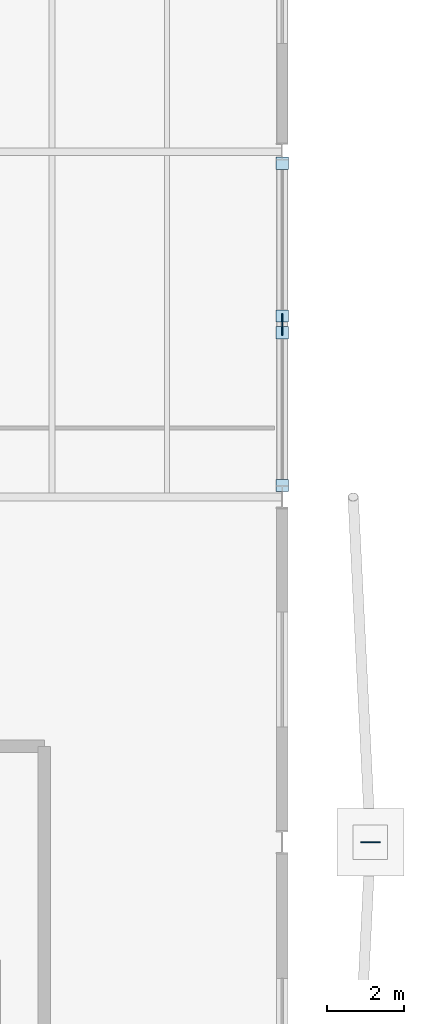
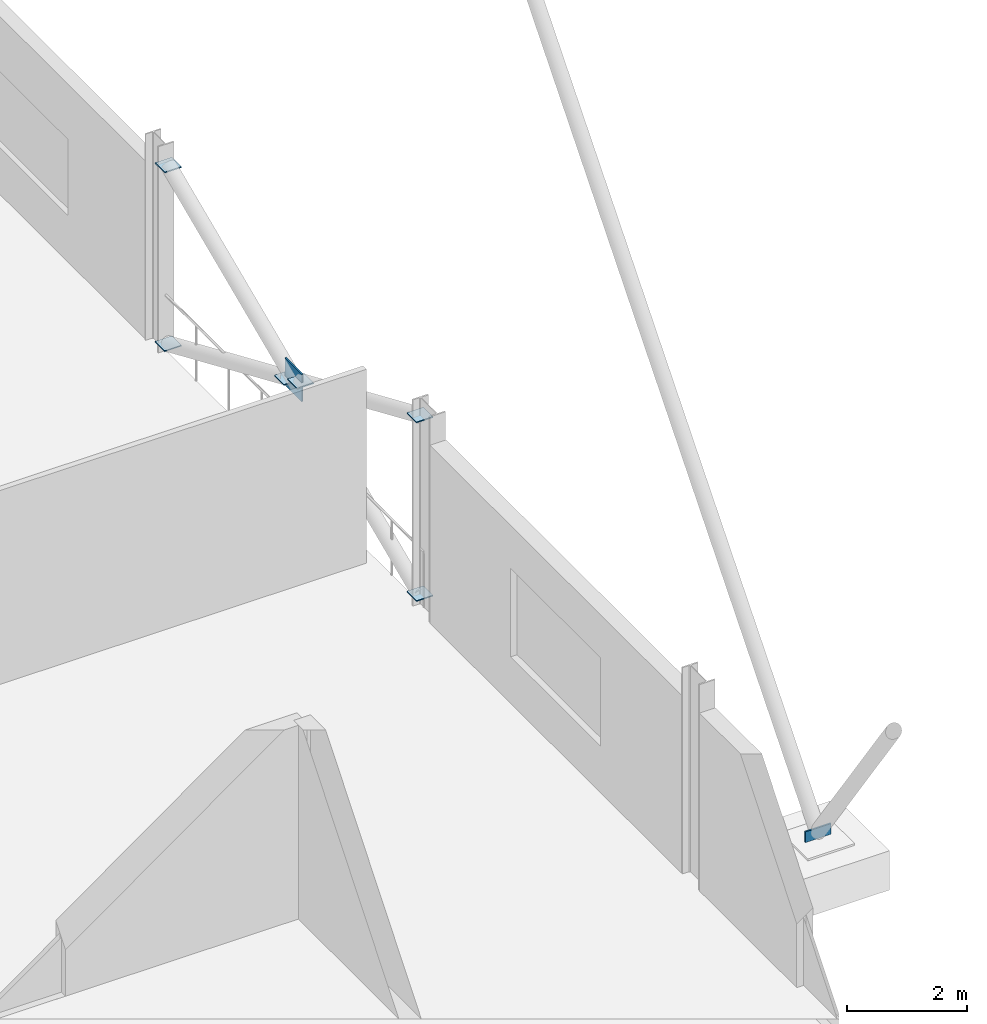
# One storey, part 118 of 140: 8 plates.
"""IFC4 building model written with IfcOpenShell, lengths in metres."""

from ifc_helpers import new_model, si_unit, direction, frame, origin, origin_2d, place, context, subcontext, project, spatial, rectangle, extrude, material, layer, layer_set, type_object, element, save


model = new_model("IFC4")

# Units and contexts
model_context = context("Model", 3, precision=1e-05, world=origin(), true_north=direction((0.0, 1.0)))
body_context = subcontext(model_context, "Body", "Model", "MODEL_VIEW")
ifc_project = project(units=[si_unit("LENGTHUNIT", "METRE"), si_unit("AREAUNIT", "SQUARE_METRE"), si_unit("VOLUMEUNIT", "CUBIC_METRE"), si_unit("PLANEANGLEUNIT", "RADIAN"), si_unit("MASSUNIT", "GRAM", prefix="KILO")], contexts=[model_context])

# Site, building, storey
site_placement = place(None, origin())
site = spatial("IfcSite", under=ifc_project, at=site_placement, CompositionType="ELEMENT")
building_placement = place(site_placement, origin())
building = spatial("IfcBuilding", under=site, at=building_placement, Name="Deido Ridge Mobility Hub", CompositionType="ELEMENT")
storey_placement = place(building_placement, origin())
storey = spatial("IfcBuildingStorey", under=building, at=storey_placement, Name="L00", CompositionType="ELEMENT", Elevation=0.0)

# Plates
ifc_material = material(Name="Steel S355J2 EN 10025-2", Category="steel")
ifc_layer_1 = layer(ifc_material, 0.02197265625, Name="Steel S355J2 EN 10025-2")
ifc_layer_set_1 = layer_set([ifc_layer_1], Name="Steel S355J2 EN 10025-2")
plate_type_1 = type_object("IfcPlateType", Name="PLT-CAP-22", PredefinedType="USERDEFINED", material=ifc_layer_set_1)
for number, where, z_axis, x_axis, name in (
    (1, (180.0, 54.300048828125, 0.1689453125), (0.0, 0.0, 1.0), (1.0, 0.0, 0.0), "Brace sealed end-cap plate EC2 1"),
    (2, (180.0, 62.699951171875, 3.80908203125), (0.0, 0.0, 1.0), (1.0, 0.0, 0.0), "Brace sealed end-cap plate EC2 2"),
    (3, (180.0, 62.699951171875, 0.1689453125), (0.0, 0.0, 1.0), (1.0, 0.0, 0.0), "Brace sealed end-cap plate EC2 3"),
    (4, (180.0, 54.300048828125, 3.80908203125), (0.0, 0.0, 1.0), (1.0, 0.0, 0.0), "Brace sealed end-cap plate EC2 4"),
    (5, (180.0, 58.72021484375, 1.8935546875), (0.0, 0.0, 1.0), (1.0, 0.0, 0.0), "Brace sealed end-cap plate EC2 5"),
    (6, (180.0, 58.27978515625, 2.08447265625), (0.0, 0.0, 1.0), (1.0, 0.0, 0.0), "Brace sealed end-cap plate EC2 6"),
):
    element("IfcPlate", number, at=place(storey_placement, frame(where, z_axis=z_axis, x_axis=x_axis)), inside=storey, type_object=plate_type_1, Name=name, ObjectType="END CAP PLATE", PredefinedType="USERDEFINED", context=body_context, shape_type="SweptSolid", body=[
        extrude(rectangle(XDim=0.320068359375, YDim=0.320068359375, at=origin_2d()), origin(), (0.0, 0.0, 1.0), 0.02197265625),
    ])
ifc_layer_2 = layer(ifc_material, 0.028076171875, Name="Steel S355J2 EN 10025-2")
ifc_layer_set_2 = layer_set([ifc_layer_2], Name="Steel S355J2 EN 10025-2")
plate_type_2 = type_object("IfcPlateType", Name="PLT-GUS-28", PredefinedType="USERDEFINED", material=ifc_layer_set_2)
plate_1_placement = place(storey_placement, frame((180.0, 58.5, 1.719970703125), z_axis=(0.0, 0.0, 1.0), x_axis=(0.0, 1.0, 0.0)))
element("IfcPlate", 7, at=plate_1_placement, inside=storey, type_object=plate_type_2, Name="X-brace central crossing gusset plate GP3 7", ObjectType="GUSSET PLATE", PredefinedType="USERDEFINED", context=body_context, shape_type="SweptSolid", body=[
    extrude(rectangle(XDim=0.56005859375, YDim=0.028076171875, at=origin_2d()), origin(), (0.0, 0.0, 1.0), 0.56005859375),
])
ifc_layer_3 = layer(ifc_material, 0.031982421875, Name="Steel S355J2 EN 10025-2")
ifc_layer_set_3 = layer_set([ifc_layer_3], Name="Steel S355J2 EN 10025-2")
plate_type_3 = type_object("IfcPlateType", Name="PLT-GUS-32", PredefinedType="USERDEFINED", material=ifc_layer_set_3)
plate_2_placement = place(storey_placement, frame((182.300048828125, 45.0, 0.03515625), z_axis=(0.0, 0.0, 1.0), x_axis=(1.0, 0.0, 0.0)))
element("IfcPlate", 8, at=plate_2_placement, inside=storey, type_object=plate_type_3, Name="Exoskeleton V-strut pedestal gusset GP4 143", ObjectType="GUSSET PLATE", PredefinedType="USERDEFINED", context=body_context, shape_type="SweptSolid", body=[
    extrude(rectangle(XDim=0.5, YDim=0.031982421875, at=origin_2d()), origin(), (0.0, 0.0, 1.0), 0.219970703125),
])

save(model, "model.ifc")
